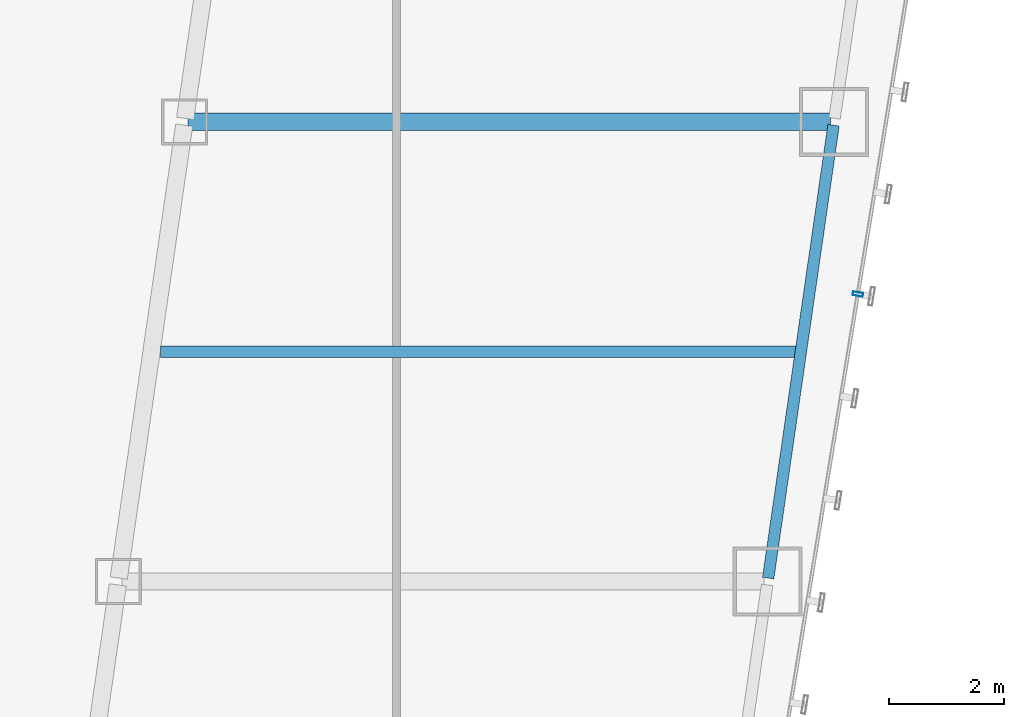
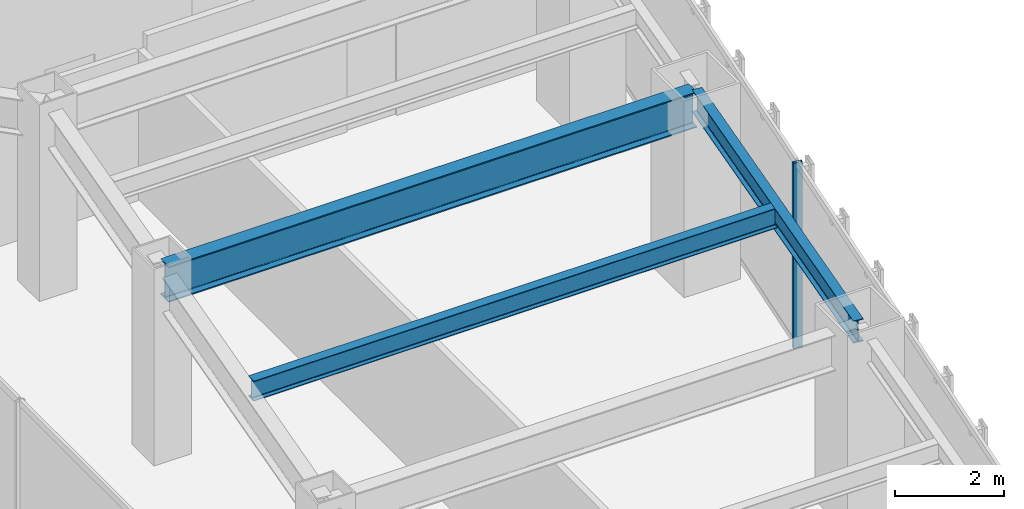
# One storey, part 21 of 47: 3 beams, 1 member, 1 element without a shape of its own.
"""IFC4 building model written with IfcOpenShell, lengths in metres."""

from ifc_helpers import new_model, si_unit, direction, frame, origin, origin_2d, place, context, subcontext, project, spatial, hollow_rectangle, i_section, extrude, material, material_profile, profile_set, type_object, element, aggregate, save


model = new_model("IFC4")

# Units and contexts
model_context = context("Model", 3, precision=1e-05, world=origin(), true_north=direction((0.0, 1.0)))
body_context = subcontext(model_context, "Body", "Model", "MODEL_VIEW")
ifc_project = project(units=[si_unit("LENGTHUNIT", "METRE"), si_unit("AREAUNIT", "SQUARE_METRE"), si_unit("VOLUMEUNIT", "CUBIC_METRE"), si_unit("PLANEANGLEUNIT", "RADIAN"), si_unit("MASSUNIT", "GRAM", prefix="KILO")], contexts=[model_context])

# Site, building, storey
site_placement = place(None, origin())
site = spatial("IfcSite", under=ifc_project, at=site_placement, CompositionType="ELEMENT")
building_placement = place(site_placement, origin())
building = spatial("IfcBuilding", under=site, at=building_placement, Name="Saevonmaru Cultural Tower", CompositionType="ELEMENT")
storey_placement = place(building_placement, frame((0.0, 0.0, 47.199951171875)))
storey = spatial("IfcBuildingStorey", under=building, at=storey_placement, Name="L09", CompositionType="ELEMENT", Elevation=47.199951171875)

# Beams
ifc_material_1 = material(Name="Steel SM420", Category="steel")
ifc_material_profile_1 = material_profile(ifc_material_1, i_section(OverallWidth=0.300048828125, OverallDepth=0.800048828125, WebThickness=0.013916015625, FlangeThickness=0.02587890625, FilletRadius=0.028076171875, at=origin_2d()), Name="H-800x300x14x26")
ifc_profile_set_1 = profile_set([ifc_material_profile_1], Name="Steel SM420")
beam_type_1 = type_object("IfcBeamType", Name="BM-G-H800", PredefinedType="BEAM", material=ifc_profile_set_1)
beam_1_placement = place(storey_placement, frame((40.443115234375, 32.0, 3.75), z_axis=(1.0, 0.0, 0.0), x_axis=(0.0, 1.0, 0.0)))
element("IfcBeam", 1, at=beam_1_placement, inside=storey, type_object=beam_type_1, Name="L09 East Wing Transverse Girder 5", PredefinedType="BEAM", context=body_context, shape_type="SweptSolid", body=[
    extrude(i_section(OverallWidth=0.300048828125, OverallDepth=0.800048828125, WebThickness=0.013916015625, FlangeThickness=0.02587890625, FilletRadius=0.028076171875, at=origin_2d()), origin(), (0.0, 0.0, 1.0), 11.179931640625),
])
ifc_material_2 = material(Name="Steel SM355", Category="steel")
ifc_material_profile_2 = material_profile(ifc_material_2, i_section(OverallWidth=0.199951171875, OverallDepth=0.449951171875, WebThickness=0.009033203125, FlangeThickness=0.013916015625, FilletRadius=0.01806640625, at=origin_2d()), Name="H-450x200x9x14")
ifc_profile_set_2 = profile_set([ifc_material_profile_2], Name="Steel SM355")
beam_type_2 = type_object("IfcBeamType", Name="BM-J-H450", PredefinedType="JOIST", material=ifc_profile_set_2)
beam_2_placement = place(storey_placement, frame((39.96337890625, 28.0, 3.925048828125), z_axis=(1.0, 0.0, 0.0), x_axis=(0.0, 1.0, 0.0)))
element("IfcBeam", 2, at=beam_2_placement, inside=storey, type_object=beam_type_2, Name="L09 East Wing Floor Joist 4", PredefinedType="JOIST", context=body_context, shape_type="SweptSolid", body=[
    extrude(i_section(OverallWidth=0.199951171875, OverallDepth=0.449951171875, WebThickness=0.009033203125, FlangeThickness=0.013916015625, FilletRadius=0.01806640625, at=origin_2d()), origin(), (0.0, 0.0, 1.0), 11.08203125),
])
ifc_material_profile_3 = material_profile(ifc_material_2, i_section(OverallWidth=0.199951171875, OverallDepth=0.5, WebThickness=0.010009765625, FlangeThickness=0.01611328125, FilletRadius=0.02001953125, at=origin_2d()), Name="H-500x200x10x16")
ifc_profile_set_3 = profile_set([ifc_material_profile_3], Name="Steel SM355")
beam_type_3 = type_object("IfcBeamType", Name="BM-SP-H500", PredefinedType="SPANDREL", material=ifc_profile_set_3)
beam_3_placement = place(storey_placement, frame((50.53662109375, 24.059326171875, 3.900146484375), z_axis=(0.142871999001, 0.989741174197, 0.0), x_axis=(-0.989741174197, 0.142871999001, 0.0)))
element("IfcBeam", 3, at=beam_3_placement, inside=storey, type_object=beam_type_3, Name="L09 East Splayed Spandrel 4", PredefinedType="SPANDREL", context=body_context, shape_type="SweptSolid", body=[
    extrude(i_section(OverallWidth=0.199951171875, OverallDepth=0.5, WebThickness=0.010009765625, FlangeThickness=0.01611328125, FilletRadius=0.02001953125, at=origin_2d()), origin(), (0.0, 0.0, 1.0), 7.963134765625),
])

# Curtain wall, member
ifc_material_3 = material(Name="Satin Bronze Anodised Aluminium", Category="aluminium")
curtain_wall_type = type_object("IfcCurtainWallType", Name="CW-TYP-A", PredefinedType="NOTDEFINED", material=ifc_material_3)
curtain_wall_placement = place(storey_placement, origin())
curtain_wall = element("IfcCurtainWall", 4, at=curtain_wall_placement, inside=storey, type_object=curtain_wall_type, Name="L09 Unitised Curtain Wall E8", PredefinedType="NOTDEFINED")
ifc_material_profile_4 = material_profile(ifc_material_3, hollow_rectangle(XDim=0.06494140625, YDim=0.179931640625, WallThickness=0.00390625, at=origin_2d()), Name="ALU-MULL-180x65x4")
ifc_profile_set_4 = profile_set([ifc_material_profile_4], Name="Satin Bronze Anodised Aluminium")
member_type = type_object("IfcMemberType", Name="ML-CW-180x65", PredefinedType="MULLION", material=ifc_profile_set_4)
member_placement = place(storey_placement, frame((52.10009765625, 29.0, 0.0), z_axis=(0.0, 0.0, 1.0), x_axis=(0.161708868641, 0.986838508472, 0.0)))
member = element("IfcMember", 5, at=member_placement, type_object=member_type, Name="CW-TW-L09-E8 mullion 3", PredefinedType="MULLION", context=body_context, shape_type="SweptSolid", body=[
    extrude(hollow_rectangle(XDim=0.06494140625, YDim=0.179931640625, WallThickness=0.00390625, at=origin_2d()), origin(), (0.0, 0.0, 1.0), 4.150146484375),
])
aggregate(curtain_wall, [member])

save(model, "model.ifc")
